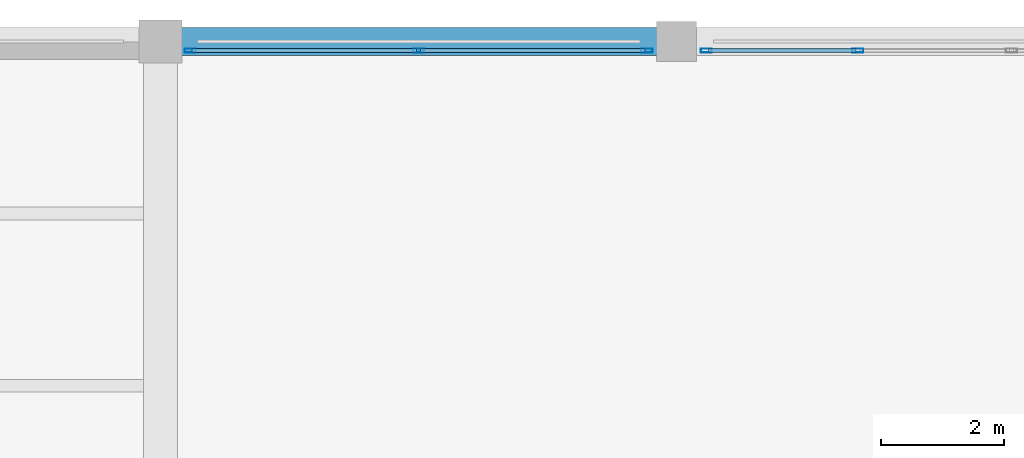
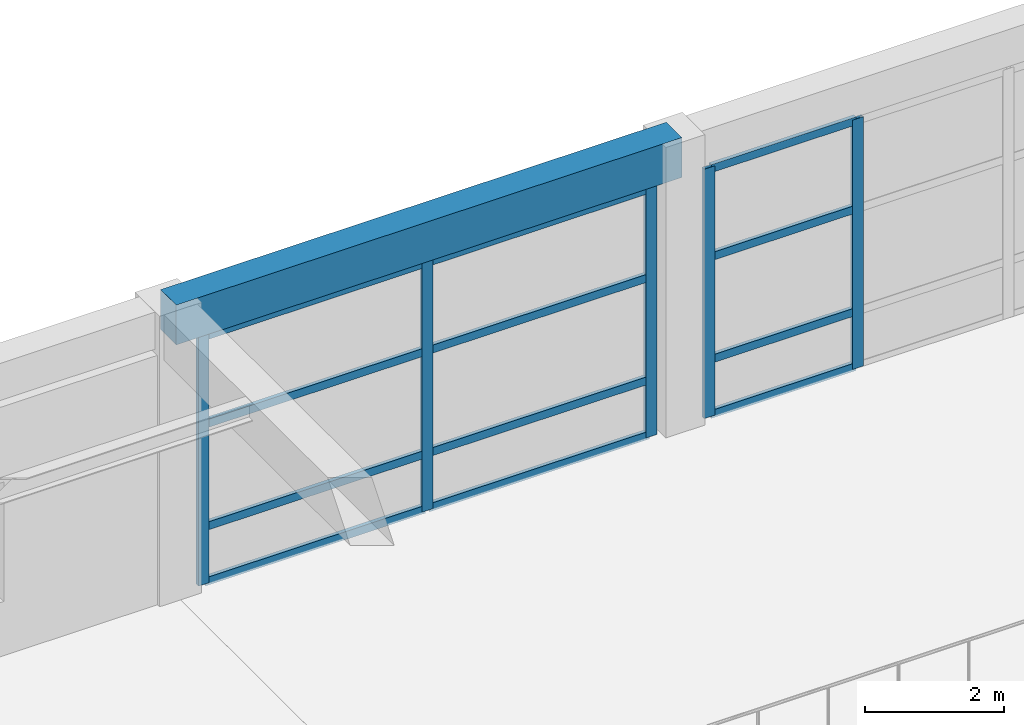
# One storey, part 44 of 96: 17 members, 1 beam, 2 elements without a shape of their own.
"""IFC4 building model written with IfcOpenShell, lengths in metres."""

from ifc_helpers import new_model, si_unit, direction, frame, origin, origin_2d, place, context, subcontext, project, spatial, rectangle, hollow_rectangle, extrude, material, material_profile, profile_set, type_object, element, aggregate, save


model = new_model("IFC4")

# Units and contexts
model_context = context("Model", 3, precision=1e-05, world=origin(), true_north=direction((0.0, 1.0)))
body_context = subcontext(model_context, "Body", "Model", "MODEL_VIEW")
ifc_project = project(units=[si_unit("LENGTHUNIT", "METRE"), si_unit("AREAUNIT", "SQUARE_METRE"), si_unit("VOLUMEUNIT", "CUBIC_METRE"), si_unit("PLANEANGLEUNIT", "RADIAN"), si_unit("MASSUNIT", "GRAM", prefix="KILO")], contexts=[model_context])

# Site, building, storey
site_placement = place(None, origin())
site = spatial("IfcSite", under=ifc_project, at=site_placement, CompositionType="ELEMENT")
building_placement = place(site_placement, origin())
building = spatial("IfcBuilding", under=site, at=building_placement, Name="Almacenes y Pasaje Nevantli", CompositionType="ELEMENT")
storey_placement = place(building_placement, frame((0.0, 0.0, 6.0)))
storey = spatial("IfcBuildingStorey", under=building, at=storey_placement, Name="L02", CompositionType="ELEMENT", Elevation=6.0)

# Beam
ifc_material_1 = material(Name="Concrete C35/45", Category="concrete")
ifc_material_profile_1 = material_profile(ifc_material_1, rectangle(XDim=0.449951171875, YDim=0.699951171875, at=origin_2d()), Name="RC-BM-450x700")
ifc_profile_set_1 = profile_set([ifc_material_profile_1], Name="Concrete C35/45")
beam_type = type_object("IfcBeamType", Name="BM-RC-450x700", PredefinedType="SPANDREL", material=ifc_profile_set_1)
beam_placement = place(storey_placement, frame((67.199951171875, 117.60009765625, 4.75), z_axis=(1.0, 0.0, 0.0), x_axis=(0.0, 1.0, 0.0)))
element("IfcBeam", 1, at=beam_placement, inside=storey, type_object=beam_type, Name="L02 East-West Reinforced Concrete Beam #1954", PredefinedType="SPANDREL", context=body_context, shape_type="SweptSolid", body=[
    extrude(rectangle(XDim=0.449951171875, YDim=0.699951171875, at=origin_2d()), origin(), (0.0, 0.0, 1.0), 8.400146484375),
])

# Curtain wall, members
ifc_material_2 = material(Name="Thermally Broken Aluminium and Low-E Glass", Category="aluminium")
curtain_wall_type = type_object("IfcCurtainWallType", Name="CW-STF-ARCADE", PredefinedType="USERDEFINED", material=ifc_material_2)
curtain_wall_1_placement = place(storey_placement, origin())
curtain_wall_1 = element("IfcCurtainWall", 2, at=curtain_wall_1_placement, inside=storey, type_object=curtain_wall_type, Name="L02 North Arcade Monumental Portal Curtain Wall Bay 9", ObjectType="STOREFRONT GLAZING", PredefinedType="USERDEFINED")
ifc_material_3 = material(Name="Thermally Broken Anodized Aluminium", Category="aluminium")
ifc_material_profile_2 = material_profile(ifc_material_3, hollow_rectangle(XDim=0.06494140625, YDim=0.179931640625, WallThickness=0.00390625, at=origin_2d()), Name="ALU-MUL-65x180")
ifc_profile_set_2 = profile_set([ifc_material_profile_2], Name="Thermally Broken Anodized Aluminium")
member_type_1 = type_object("IfcMemberType", Name="CW-MUL-200", PredefinedType="MULLION", material=ifc_profile_set_2)
member_1_placement = place(storey_placement, frame((67.6826171875, 117.449951171875, 0.0), z_axis=(0.0, 0.0, 1.0), x_axis=(0.0, 1.0, 0.0)))
member_1 = element("IfcMember", 3, at=member_1_placement, type_object=member_type_1, Name="CW-L02-005 mullion 1", PredefinedType="MULLION", context=body_context, shape_type="SweptSolid", body=[
    extrude(hollow_rectangle(XDim=0.06494140625, YDim=0.179931640625, WallThickness=0.00390625, at=origin_2d()), origin(), (0.0, 0.0, 1.0), 4.3798828125),
])
member_2_placement = place(storey_placement, frame((71.39990234375, 117.449951171875, 0.0), z_axis=(0.0, 0.0, 1.0), x_axis=(0.0, 1.0, 0.0)))
member_2 = element("IfcMember", 4, at=member_2_placement, type_object=member_type_1, Name="CW-L02-005 mullion 2", PredefinedType="MULLION", context=body_context, shape_type="SweptSolid", body=[
    extrude(hollow_rectangle(XDim=0.06494140625, YDim=0.179931640625, WallThickness=0.00390625, at=origin_2d()), origin(), (0.0, 0.0, 1.0), 4.3798828125),
])
member_3_placement = place(storey_placement, frame((75.117431640625, 117.449951171875, 0.0), z_axis=(0.0, 0.0, 1.0), x_axis=(0.0, 1.0, 0.0)))
member_3 = element("IfcMember", 5, at=member_3_placement, type_object=member_type_1, Name="CW-L02-005 mullion 3", PredefinedType="MULLION", context=body_context, shape_type="SweptSolid", body=[
    extrude(hollow_rectangle(XDim=0.06494140625, YDim=0.179931640625, WallThickness=0.00390625, at=origin_2d()), origin(), (0.0, 0.0, 1.0), 4.3798828125),
])

curtain_wall_2_placement = place(storey_placement, origin())
curtain_wall_2 = element("IfcCurtainWall", 6, at=curtain_wall_2_placement, inside=storey, type_object=curtain_wall_type, Name="L02 North Arcade Monumental Portal Curtain Wall Bay 10", ObjectType="STOREFRONT GLAZING", PredefinedType="USERDEFINED")
member_4_placement = place(storey_placement, frame((76.08251953125, 117.449951171875, 0.0), z_axis=(0.0, 0.0, 1.0), x_axis=(0.0, 1.0, 0.0)))
member_4 = element("IfcMember", 7, at=member_4_placement, type_object=member_type_1, Name="CW-L02-006 mullion 1", PredefinedType="MULLION", context=body_context, shape_type="SweptSolid", body=[
    extrude(hollow_rectangle(XDim=0.06494140625, YDim=0.179931640625, WallThickness=0.00390625, at=origin_2d()), origin(), (0.0, 0.0, 1.0), 4.3798828125),
])
member_5_placement = place(storey_placement, frame((78.550048828125, 117.449951171875, 0.0), z_axis=(0.0, 0.0, 1.0), x_axis=(0.0, 1.0, 0.0)))
member_5 = element("IfcMember", 8, at=member_5_placement, type_object=member_type_1, Name="CW-L02-006 mullion 2", PredefinedType="MULLION", context=body_context, shape_type="SweptSolid", body=[
    extrude(hollow_rectangle(XDim=0.06494140625, YDim=0.179931640625, WallThickness=0.00390625, at=origin_2d()), origin(), (0.0, 0.0, 1.0), 4.3798828125),
])

# Member
ifc_material_4 = material(Name="Thermally Broken Anodized Aluminium", Category="aluminium")
ifc_material_profile_3 = material_profile(ifc_material_4, hollow_rectangle(XDim=0.06494140625, YDim=0.139892578125, WallThickness=0.00390625, at=origin_2d()), Name="ALU-TRN-65x140")
ifc_profile_set_3 = profile_set([ifc_material_profile_3], Name="Thermally Broken Anodized Aluminium")
member_type_2 = type_object("IfcMemberType", Name="CW-TRN-150", PredefinedType="USERDEFINED", material=ifc_profile_set_3)
member_6_placement = place(storey_placement, frame((67.715087890625, 117.449951171875, 0.032470703125), z_axis=(1.0, 0.0, 0.0), x_axis=(0.0, 1.0, 0.0)))
member_6 = element("IfcMember", 9, at=member_6_placement, type_object=member_type_2, Name="CW-L02-005 transom 1.1", ObjectType="TRANSOM", PredefinedType="USERDEFINED", context=body_context, shape_type="SweptSolid", body=[
    extrude(hollow_rectangle(XDim=0.06494140625, YDim=0.139892578125, WallThickness=0.00390625, at=origin_2d()), origin(), (0.0, 0.0, 1.0), 3.65234375),
])

member_7_placement = place(storey_placement, frame((67.715087890625, 117.449951171875, 1.0), z_axis=(1.0, 0.0, 0.0), x_axis=(0.0, 1.0, 0.0)))
member_7 = element("IfcMember", 10, at=member_7_placement, type_object=member_type_2, Name="CW-L02-005 transom 1.2", ObjectType="TRANSOM", PredefinedType="USERDEFINED", context=body_context, shape_type="SweptSolid", body=[
    extrude(hollow_rectangle(XDim=0.06494140625, YDim=0.139892578125, WallThickness=0.00390625, at=origin_2d()), origin(), (0.0, 0.0, 1.0), 3.65234375),
])

member_8_placement = place(storey_placement, frame((67.715087890625, 117.449951171875, 2.800048828125), z_axis=(1.0, 0.0, 0.0), x_axis=(0.0, 1.0, 0.0)))
member_8 = element("IfcMember", 11, at=member_8_placement, type_object=member_type_2, Name="CW-L02-005 transom 1.3", ObjectType="TRANSOM", PredefinedType="USERDEFINED", context=body_context, shape_type="SweptSolid", body=[
    extrude(hollow_rectangle(XDim=0.06494140625, YDim=0.139892578125, WallThickness=0.00390625, at=origin_2d()), origin(), (0.0, 0.0, 1.0), 3.65234375),
])

member_9_placement = place(storey_placement, frame((67.715087890625, 117.449951171875, 4.347412109375), z_axis=(1.0, 0.0, 0.0), x_axis=(0.0, 1.0, 0.0)))
member_9 = element("IfcMember", 12, at=member_9_placement, type_object=member_type_2, Name="CW-L02-005 transom 1.4", ObjectType="TRANSOM", PredefinedType="USERDEFINED", context=body_context, shape_type="SweptSolid", body=[
    extrude(hollow_rectangle(XDim=0.06494140625, YDim=0.139892578125, WallThickness=0.00390625, at=origin_2d()), origin(), (0.0, 0.0, 1.0), 3.65234375),
])

member_10_placement = place(storey_placement, frame((71.4326171875, 117.449951171875, 0.032470703125), z_axis=(1.0, 0.0, 0.0), x_axis=(0.0, 1.0, 0.0)))
member_10 = element("IfcMember", 13, at=member_10_placement, type_object=member_type_2, Name="CW-L02-005 transom 2.1", ObjectType="TRANSOM", PredefinedType="USERDEFINED", context=body_context, shape_type="SweptSolid", body=[
    extrude(hollow_rectangle(XDim=0.06494140625, YDim=0.139892578125, WallThickness=0.00390625, at=origin_2d()), origin(), (0.0, 0.0, 1.0), 3.65234375),
])

member_11_placement = place(storey_placement, frame((71.4326171875, 117.449951171875, 1.0), z_axis=(1.0, 0.0, 0.0), x_axis=(0.0, 1.0, 0.0)))
member_11 = element("IfcMember", 14, at=member_11_placement, type_object=member_type_2, Name="CW-L02-005 transom 2.2", ObjectType="TRANSOM", PredefinedType="USERDEFINED", context=body_context, shape_type="SweptSolid", body=[
    extrude(hollow_rectangle(XDim=0.06494140625, YDim=0.139892578125, WallThickness=0.00390625, at=origin_2d()), origin(), (0.0, 0.0, 1.0), 3.65234375),
])

member_12_placement = place(storey_placement, frame((71.4326171875, 117.449951171875, 2.800048828125), z_axis=(1.0, 0.0, 0.0), x_axis=(0.0, 1.0, 0.0)))
member_12 = element("IfcMember", 15, at=member_12_placement, type_object=member_type_2, Name="CW-L02-005 transom 2.3", ObjectType="TRANSOM", PredefinedType="USERDEFINED", context=body_context, shape_type="SweptSolid", body=[
    extrude(hollow_rectangle(XDim=0.06494140625, YDim=0.139892578125, WallThickness=0.00390625, at=origin_2d()), origin(), (0.0, 0.0, 1.0), 3.65234375),
])

member_13_placement = place(storey_placement, frame((71.4326171875, 117.449951171875, 4.347412109375), z_axis=(1.0, 0.0, 0.0), x_axis=(0.0, 1.0, 0.0)))
member_13 = element("IfcMember", 16, at=member_13_placement, type_object=member_type_2, Name="CW-L02-005 transom 2.4", ObjectType="TRANSOM", PredefinedType="USERDEFINED", context=body_context, shape_type="SweptSolid", body=[
    extrude(hollow_rectangle(XDim=0.06494140625, YDim=0.139892578125, WallThickness=0.00390625, at=origin_2d()), origin(), (0.0, 0.0, 1.0), 3.65234375),
])

aggregate(curtain_wall_1, [member_1, member_2, member_3, member_6, member_7, member_8, member_9, member_10, member_11, member_12, member_13])

member_14_placement = place(storey_placement, frame((76.114990234375, 117.449951171875, 0.032470703125), z_axis=(1.0, 0.0, 0.0), x_axis=(0.0, 1.0, 0.0)))
member_14 = element("IfcMember", 17, at=member_14_placement, type_object=member_type_2, Name="CW-L02-006 transom 1.1", ObjectType="TRANSOM", PredefinedType="USERDEFINED", context=body_context, shape_type="SweptSolid", body=[
    extrude(hollow_rectangle(XDim=0.06494140625, YDim=0.139892578125, WallThickness=0.00390625, at=origin_2d()), origin(), (0.0, 0.0, 1.0), 2.402587890625),
])

member_15_placement = place(storey_placement, frame((76.114990234375, 117.449951171875, 1.0), z_axis=(1.0, 0.0, 0.0), x_axis=(0.0, 1.0, 0.0)))
member_15 = element("IfcMember", 18, at=member_15_placement, type_object=member_type_2, Name="CW-L02-006 transom 1.2", ObjectType="TRANSOM", PredefinedType="USERDEFINED", context=body_context, shape_type="SweptSolid", body=[
    extrude(hollow_rectangle(XDim=0.06494140625, YDim=0.139892578125, WallThickness=0.00390625, at=origin_2d()), origin(), (0.0, 0.0, 1.0), 2.402587890625),
])

member_16_placement = place(storey_placement, frame((76.114990234375, 117.449951171875, 2.800048828125), z_axis=(1.0, 0.0, 0.0), x_axis=(0.0, 1.0, 0.0)))
member_16 = element("IfcMember", 19, at=member_16_placement, type_object=member_type_2, Name="CW-L02-006 transom 1.3", ObjectType="TRANSOM", PredefinedType="USERDEFINED", context=body_context, shape_type="SweptSolid", body=[
    extrude(hollow_rectangle(XDim=0.06494140625, YDim=0.139892578125, WallThickness=0.00390625, at=origin_2d()), origin(), (0.0, 0.0, 1.0), 2.402587890625),
])

member_17_placement = place(storey_placement, frame((76.114990234375, 117.449951171875, 4.347412109375), z_axis=(1.0, 0.0, 0.0), x_axis=(0.0, 1.0, 0.0)))
member_17 = element("IfcMember", 20, at=member_17_placement, type_object=member_type_2, Name="CW-L02-006 transom 1.4", ObjectType="TRANSOM", PredefinedType="USERDEFINED", context=body_context, shape_type="SweptSolid", body=[
    extrude(hollow_rectangle(XDim=0.06494140625, YDim=0.139892578125, WallThickness=0.00390625, at=origin_2d()), origin(), (0.0, 0.0, 1.0), 2.402587890625),
])

aggregate(curtain_wall_2, [member_4, member_5, member_14, member_15, member_16, member_17])

save(model, "model.ifc")
